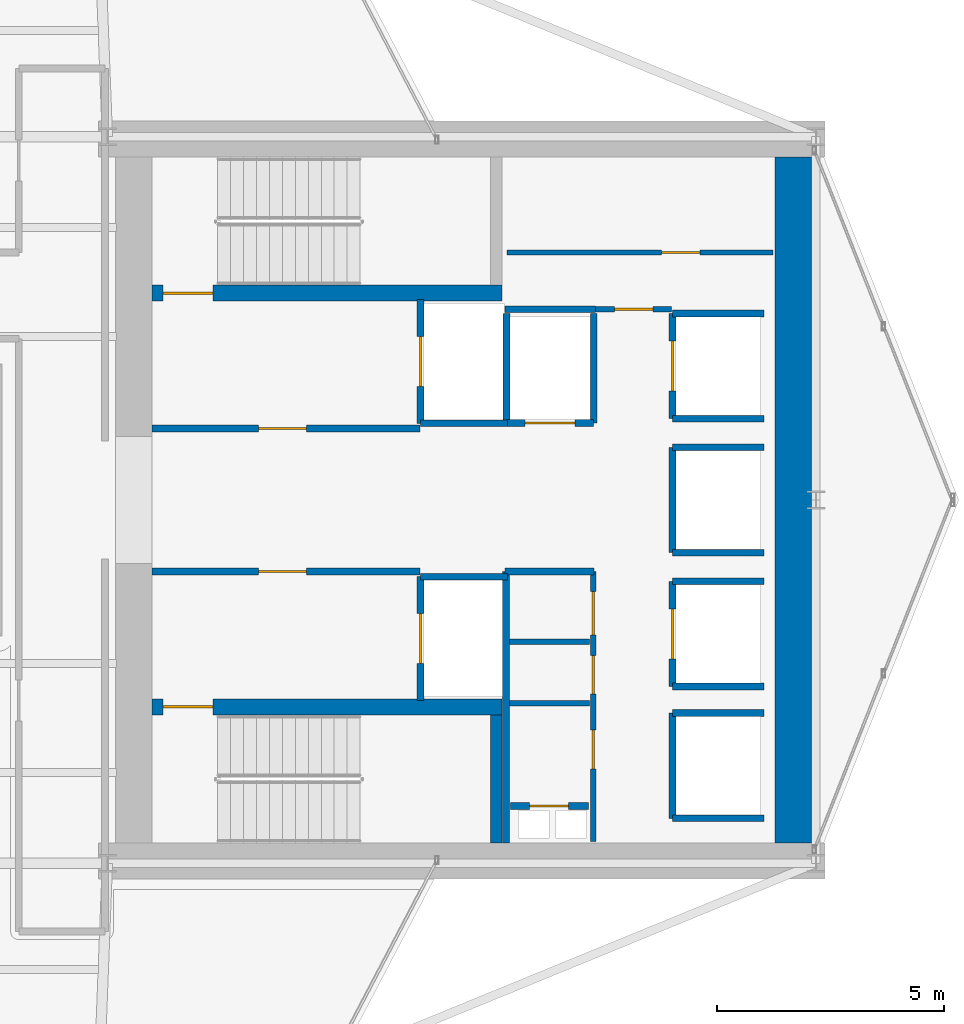
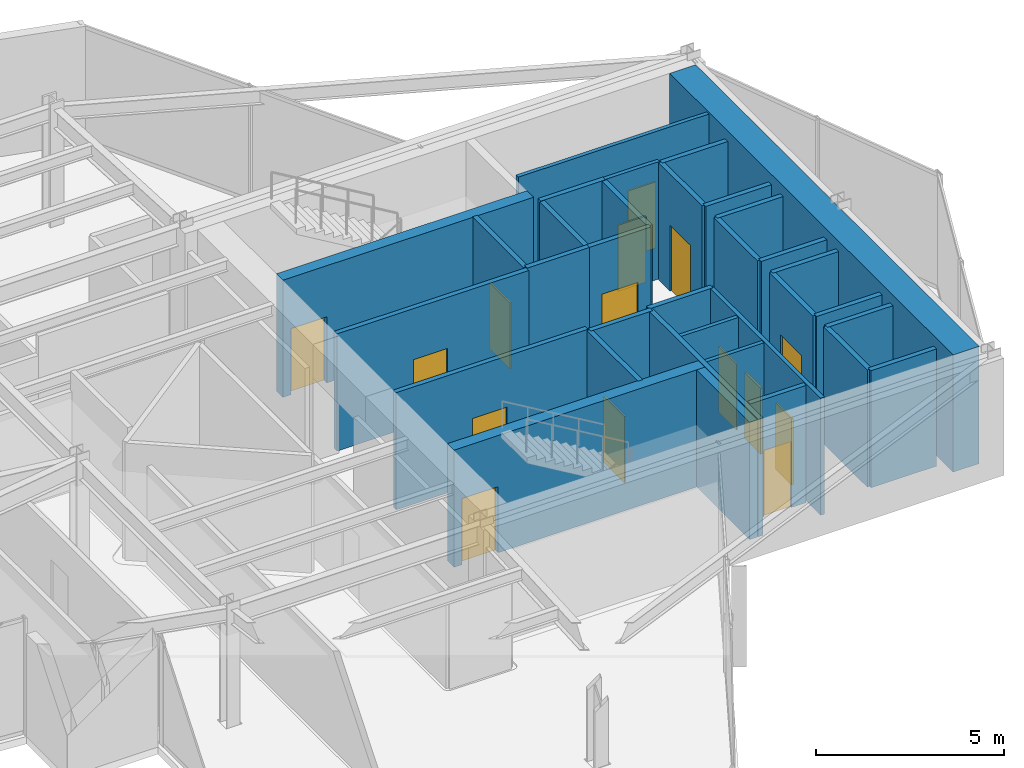
# One storey, part 22 of 25: 34 walls, 15 doors, 15 openings.
"""IFC4 building model written with IfcOpenShell, lengths in metres."""

from ifc_helpers import new_model, si_unit, direction, frame, frame_2d, origin, place, context, subcontext, project, spatial, rectangle, extrude, material, layer, layer_set, type_object, element, fill, save


model = new_model("IFC4")

# Units and contexts
model_context = context("Model", 3, precision=1e-05, world=origin(), true_north=direction((0.0, 1.0)))
body_context = subcontext(model_context, "Body", "Model", "MODEL_VIEW")
ifc_project = project(units=[si_unit("LENGTHUNIT", "METRE"), si_unit("AREAUNIT", "SQUARE_METRE"), si_unit("VOLUMEUNIT", "CUBIC_METRE"), si_unit("PLANEANGLEUNIT", "RADIAN"), si_unit("MASSUNIT", "GRAM", prefix="KILO")], contexts=[model_context])

# Site, building, storey
site_placement = place(None, origin())
site = spatial("IfcSite", under=ifc_project, at=site_placement, CompositionType="ELEMENT")
building_placement = place(site_placement, origin())
building = spatial("IfcBuilding", under=site, at=building_placement, Name="Veymaron Broadcast Tower", CompositionType="ELEMENT")
storey_placement = place(building_placement, frame((0.0, 0.0, 145.199951171875)))
storey = spatial("IfcBuildingStorey", under=building, at=storey_placement, Name="L33", CompositionType="ELEMENT", Elevation=145.199951171875)

# Wall, opening, door
ifc_material_1 = material(Name="Gypsum fireboard and steel stud framing", Category="steel")
ifc_layer_1 = layer(ifc_material_1, 0.14990234375)
ifc_layer_set_1 = layer_set([ifc_layer_1], Name="Gypsum fireboard and steel stud framing")
wall_type_1 = type_object("IfcWallType", Name="WALL-FIRE-150", PredefinedType="PARTITIONING", material=ifc_layer_set_1)
wall_1_placement = place(storey_placement, frame((39.97998046875, 25.574951171875, 0.0), z_axis=(0.0, 0.0, 1.0), x_axis=(1.0, 0.0, 0.0)))
wall_1 = element("IfcWall", 1, at=wall_1_placement, inside=storey, type_object=wall_type_1, Name="L33 partition IW-L33-FFLN-S", PredefinedType="PARTITIONING", context=body_context, shape_type="SweptSolid", body=[
    extrude(rectangle(XDim=5.89990234375, YDim=0.14990234375, at=frame_2d((2.949951171875, 0.0))), origin(), (0.0, 0.0, 1.0), 3.81005859375),
])
opening_1_placement = place(wall_1_placement, frame((2.35009765625, 0.0, 0.0)))
opening_1 = element("IfcOpeningElement", 2, at=opening_1_placement, cuts=wall_1, Name="Opening ID-FL1", PredefinedType="OPENING", context=body_context, shape_type="SweptSolid", body=[
    extrude(rectangle(XDim=1.050048828125, YDim=2.14990234375, at=frame_2d((0.52490234375, 1.074951171875))), frame((0.0, 0.0849609375, 0.0), z_axis=(0.0, -1.0, 0.0), x_axis=(1.0, 0.0, 0.0)), (0.0, 0.0, 1.0), 0.169921875),
])
ifc_material_2 = material(Name="Fire-rated painted hollow steel ASTM A653", Category="steel")
door_type_1 = type_object("IfcDoorType", Name="DOOR-FIRE-1050", OperationType="NOTDEFINED", PredefinedType="DOOR", material=ifc_material_2)
door_1_placement = place(opening_1_placement, origin())
door_1 = element("IfcDoor", 3, at=door_1_placement, inside=storey, type_object=door_type_1, Name="L33 door DR-L33-FFLN", OperationType="SINGLE_SWING_LEFT", OverallHeight=2.14990234375, OverallWidth=1.050048828125, PredefinedType="DOOR", context=body_context, shape_type="SweptSolid", body=[
    extrude(rectangle(XDim=1.050048828125, YDim=2.14990234375, at=frame_2d((0.52490234375, 1.074951171875))), frame((0.0, 0.02490234375, 0.0), z_axis=(0.0, -1.0, 0.0), x_axis=(1.0, 0.0, 0.0)), (0.0, 0.0, 1.0), 0.050048828125),
])
fill(opening_1, door_1)

wall_2_placement = place(storey_placement, frame((39.97998046875, 22.425048828125, 0.0), z_axis=(0.0, 0.0, 1.0), x_axis=(1.0, 0.0, 0.0)))
wall_2 = element("IfcWall", 4, at=wall_2_placement, inside=storey, type_object=wall_type_1, Name="L33 partition IW-L33-FFLS-N", PredefinedType="PARTITIONING", context=body_context, shape_type="SweptSolid", body=[
    extrude(rectangle(XDim=5.89990234375, YDim=0.14990234375, at=frame_2d((2.949951171875, 0.0))), origin(), (0.0, 0.0, 1.0), 3.81005859375),
])
opening_2_placement = place(wall_2_placement, frame((2.35009765625, 0.0, 0.0)))
opening_2 = element("IfcOpeningElement", 5, at=opening_2_placement, cuts=wall_2, Name="Opening ID-FL1", PredefinedType="OPENING", context=body_context, shape_type="SweptSolid", body=[
    extrude(rectangle(XDim=1.050048828125, YDim=2.14990234375, at=frame_2d((0.52490234375, 1.074951171875))), frame((0.0, 0.0849609375, 0.0), z_axis=(0.0, -1.0, 0.0), x_axis=(1.0, 0.0, 0.0)), (0.0, 0.0, 1.0), 0.169921875),
])
door_2_placement = place(opening_2_placement, frame((1.050048828125, 0.0, 0.0), z_axis=(0.0, 0.0, 1.0), x_axis=(-1.0, 0.0, 0.0)))
door_2 = element("IfcDoor", 6, at=door_2_placement, inside=storey, type_object=door_type_1, Name="L33 door DR-L33-FFLS", OperationType="SINGLE_SWING_RIGHT", OverallHeight=2.14990234375, OverallWidth=1.050048828125, PredefinedType="DOOR", context=body_context, shape_type="SweptSolid", body=[
    extrude(rectangle(XDim=1.050048828125, YDim=2.14990234375, at=frame_2d((0.52490234375, 1.074951171875))), frame((0.0, 0.02490234375, 0.0), z_axis=(0.0, -1.0, 0.0), x_axis=(1.0, 0.0, 0.0)), (0.0, 0.0, 1.0), 0.050048828125),
])
fill(opening_2, door_2)

wall_3_placement = place(storey_placement, frame((45.89501953125, 25.68994140625, 0.0), z_axis=(0.0, 0.0, 1.0), x_axis=(0.0, 1.0, 0.0)))
wall_3 = element("IfcWall", 7, at=wall_3_placement, inside=storey, type_object=wall_type_1, Name="L33 partition IW-L33-SHW-FFL-1", PredefinedType="PARTITIONING", context=body_context, shape_type="SweptSolid", body=[
    extrude(rectangle(XDim=2.719970703125, YDim=0.14990234375, at=frame_2d((1.35986328125, 0.0))), origin(), (0.0, 0.0, 1.0), 3.81005859375),
])
opening_3_placement = place(wall_3_placement, frame((0.81005859375, 0.0, 0.0)))
opening_3 = element("IfcOpeningElement", 8, at=opening_3_placement, cuts=wall_3, Name="Opening LD", PredefinedType="OPENING", context=body_context, shape_type="SweptSolid", body=[
    extrude(rectangle(XDim=1.10009765625, YDim=2.14990234375, at=frame_2d((0.550048828125, 1.074951171875))), frame((0.0, 0.0849609375, 0.0), z_axis=(0.0, -1.0, 0.0), x_axis=(1.0, 0.0, 0.0)), (0.0, 0.0, 1.0), 0.169921875),
])
ifc_material_3 = material(Name="Brushed stainless steel AISI 304", Category="steel")
door_type_2 = type_object("IfcDoorType", Name="DOOR-LIFT-1100", OperationType="DOUBLE_DOOR_SLIDING", PredefinedType="DOOR", material=ifc_material_3)
door_3_placement = place(opening_3_placement, frame((1.10009765625, 0.0, 0.0), z_axis=(0.0, 0.0, 1.0), x_axis=(-1.0, 0.0, 0.0)))
door_3 = element("IfcDoor", 9, at=door_3_placement, inside=storey, type_object=door_type_2, Name="L33 door LD-L33-FFL-1", OperationType="DOUBLE_DOOR_SLIDING", OverallHeight=2.14990234375, OverallWidth=1.10009765625, PredefinedType="DOOR", context=body_context, shape_type="SweptSolid", body=[
    extrude(rectangle(XDim=1.10009765625, YDim=2.14990234375, at=frame_2d((0.550048828125, 1.074951171875))), frame((0.0, 0.02490234375, 0.0), z_axis=(0.0, -1.0, 0.0), x_axis=(1.0, 0.0, 0.0)), (0.0, 0.0, 1.0), 0.050048828125),
])
fill(opening_3, door_3)

# Wall
wall_4_placement = place(storey_placement, frame((45.89501953125, 25.68994140625, 0.0), z_axis=(0.0, 0.0, 1.0), x_axis=(1.0, 0.0, 0.0)))
element("IfcWall", 10, at=wall_4_placement, inside=storey, type_object=wall_type_1, Name="L33 partition IW-L33-SHS-FFL-1", PredefinedType="PARTITIONING", context=body_context, shape_type="SweptSolid", body=[
    extrude(rectangle(XDim=1.9150390625, YDim=0.14990234375, at=frame_2d((0.95751953125, 0.0))), origin(), (0.0, 0.0, 1.0), 3.81005859375),
])

# Wall, opening, door
wall_5_placement = place(storey_placement, frame((45.89501953125, 19.590087890625, 0.0), z_axis=(0.0, 0.0, 1.0), x_axis=(0.0, 1.0, 0.0)))
wall_5 = element("IfcWall", 11, at=wall_5_placement, inside=storey, type_object=wall_type_1, Name="L33 partition IW-L33-SHW-FFL-2", PredefinedType="PARTITIONING", context=body_context, shape_type="SweptSolid", body=[
    extrude(rectangle(XDim=2.719970703125, YDim=0.14990234375, at=frame_2d((1.35986328125, 0.0))), origin(), (0.0, 0.0, 1.0), 3.81005859375),
])
opening_4_placement = place(wall_5_placement, frame((0.81005859375, 0.0, 0.0)))
opening_4 = element("IfcOpeningElement", 12, at=opening_4_placement, cuts=wall_5, Name="Opening LD", PredefinedType="OPENING", context=body_context, shape_type="SweptSolid", body=[
    extrude(rectangle(XDim=1.10009765625, YDim=2.14990234375, at=frame_2d((0.550048828125, 1.074951171875))), frame((0.0, 0.0849609375, 0.0), z_axis=(0.0, -1.0, 0.0), x_axis=(1.0, 0.0, 0.0)), (0.0, 0.0, 1.0), 0.169921875),
])
door_4_placement = place(opening_4_placement, frame((1.10009765625, 0.0, 0.0), z_axis=(0.0, 0.0, 1.0), x_axis=(-1.0, 0.0, 0.0)))
door_4 = element("IfcDoor", 13, at=door_4_placement, inside=storey, type_object=door_type_2, Name="L33 door LD-L33-FFL-2", OperationType="DOUBLE_DOOR_SLIDING", OverallHeight=2.14990234375, OverallWidth=1.10009765625, PredefinedType="DOOR", context=body_context, shape_type="SweptSolid", body=[
    extrude(rectangle(XDim=1.10009765625, YDim=2.14990234375, at=frame_2d((0.550048828125, 1.074951171875))), frame((0.0, 0.02490234375, 0.0), z_axis=(0.0, -1.0, 0.0), x_axis=(1.0, 0.0, 0.0)), (0.0, 0.0, 1.0), 0.050048828125),
])
fill(opening_4, door_4)

# Wall
wall_6_placement = place(storey_placement, frame((45.89501953125, 22.31005859375, 0.0), z_axis=(0.0, 0.0, 1.0), x_axis=(1.0, 0.0, 0.0)))
element("IfcWall", 14, at=wall_6_placement, inside=storey, type_object=wall_type_1, Name="L33 partition IW-L33-SHN-FFL-2", PredefinedType="PARTITIONING", context=body_context, shape_type="SweptSolid", body=[
    extrude(rectangle(XDim=1.9150390625, YDim=0.14990234375, at=frame_2d((0.95751953125, 0.0))), origin(), (0.0, 0.0, 1.0), 3.81005859375),
])

# Wall, opening, door
wall_7_placement = place(storey_placement, frame((47.7900390625, 25.695068359375, 0.0), z_axis=(0.0, 0.0, 1.0), x_axis=(1.0, 0.0, 0.0)))
wall_7 = element("IfcWall", 15, at=wall_7_placement, inside=storey, type_object=wall_type_1, Name="L33 partition IW-L33-SHS-SL-1", PredefinedType="PARTITIONING", context=body_context, shape_type="SweptSolid", body=[
    extrude(rectangle(XDim=1.919921875, YDim=0.14990234375, at=frame_2d((0.9599609375, 0.0))), origin(), (0.0, 0.0, 1.0), 3.81005859375),
])
opening_5_placement = place(wall_7_placement, frame((0.409912109375, 0.0, 0.0)))
opening_5 = element("IfcOpeningElement", 16, at=opening_5_placement, cuts=wall_7, Name="Opening LD", PredefinedType="OPENING", context=body_context, shape_type="SweptSolid", body=[
    extrude(rectangle(XDim=1.10009765625, YDim=2.14990234375, at=frame_2d((0.550048828125, 1.074951171875))), frame((0.0, 0.0849609375, 0.0), z_axis=(0.0, -1.0, 0.0), x_axis=(1.0, 0.0, 0.0)), (0.0, 0.0, 1.0), 0.169921875),
])
door_5_placement = place(opening_5_placement, frame((1.10009765625, 0.0, 0.0), z_axis=(0.0, 0.0, 1.0), x_axis=(-1.0, 0.0, 0.0)))
door_5 = element("IfcDoor", 17, at=door_5_placement, inside=storey, type_object=door_type_2, Name="L33 door LD-L33-SL-1", OperationType="DOUBLE_DOOR_SLIDING", OverallHeight=2.14990234375, OverallWidth=1.10009765625, PredefinedType="DOOR", context=body_context, shape_type="SweptSolid", body=[
    extrude(rectangle(XDim=1.10009765625, YDim=2.14990234375, at=frame_2d((0.550048828125, 1.074951171875))), frame((0.0, 0.02490234375, 0.0), z_axis=(0.0, -1.0, 0.0), x_axis=(1.0, 0.0, 0.0)), (0.0, 0.0, 1.0), 0.050048828125),
])
fill(opening_5, door_5)

# Walls
for number, where, z_axis, x_axis, name in (
    (18, (47.7900390625, 25.695068359375, 0.0), (0.0, 0.0, 1.0), (0.0, 1.0, 0.0), "L33 partition IW-L33-SHW-SL-1"),
    (19, (49.7099609375, 25.695068359375, 0.0), (0.0, 0.0, 1.0), (0.0, 1.0, 0.0), "L33 partition IW-L33-SHE-SL-1"),
):
    element("IfcWall", number, at=place(storey_placement, frame(where, z_axis=z_axis, x_axis=x_axis)), inside=storey, type_object=wall_type_1, Name=name, PredefinedType="PARTITIONING", context=body_context, shape_type="SweptSolid", body=[
        extrude(rectangle(XDim=2.4150390625, YDim=0.14990234375, at=frame_2d((1.20751953125, 0.0))), origin(), (0.0, 0.0, 1.0), 3.81005859375),
    ])

# Wall, opening, door
wall_8_placement = place(storey_placement, frame((51.445068359375, 25.7900390625, 0.0), z_axis=(0.0, 0.0, 1.0), x_axis=(0.0, 1.0, 0.0)))
wall_8 = element("IfcWall", 20, at=wall_8_placement, inside=storey, type_object=wall_type_1, Name="L33 partition IW-L33-SHW-PM1", PredefinedType="PARTITIONING", context=body_context, shape_type="SweptSolid", body=[
    extrude(rectangle(XDim=2.320068359375, YDim=0.14990234375, at=frame_2d((1.16015625, 0.0))), origin(), (0.0, 0.0, 1.0), 3.81005859375),
])
opening_6_placement = place(wall_8_placement, frame((0.610107421875, 0.0, 0.0)))
opening_6 = element("IfcOpeningElement", 21, at=opening_6_placement, cuts=wall_8, Name="Opening LD", PredefinedType="OPENING", context=body_context, shape_type="SweptSolid", body=[
    extrude(rectangle(XDim=1.10009765625, YDim=2.14990234375, at=frame_2d((0.550048828125, 1.074951171875))), frame((0.0, 0.0849609375, 0.0), z_axis=(0.0, -1.0, 0.0), x_axis=(1.0, 0.0, 0.0)), (0.0, 0.0, 1.0), 0.169921875),
])
door_6_placement = place(opening_6_placement, frame((1.10009765625, 0.0, 0.0), z_axis=(0.0, 0.0, 1.0), x_axis=(-1.0, 0.0, 0.0)))
door_6 = element("IfcDoor", 22, at=door_6_placement, inside=storey, type_object=door_type_2, Name="L33 door LD-L33-PM1", OperationType="DOUBLE_DOOR_SLIDING", OverallHeight=2.14990234375, OverallWidth=1.10009765625, PredefinedType="DOOR", context=body_context, shape_type="SweptSolid", body=[
    extrude(rectangle(XDim=1.10009765625, YDim=2.14990234375, at=frame_2d((0.550048828125, 1.074951171875))), frame((0.0, 0.02490234375, 0.0), z_axis=(0.0, -1.0, 0.0), x_axis=(1.0, 0.0, 0.0)), (0.0, 0.0, 1.0), 0.050048828125),
])
fill(opening_6, door_6)

# Walls
for number, where, z_axis, x_axis, name in (
    (23, (51.445068359375, 25.7900390625, 0.0), (0.0, 0.0, 1.0), (1.0, 0.0, 0.0), "L33 partition IW-L33-SHS-PM1"),
    (24, (51.445068359375, 28.110107421875, 0.0), (0.0, 0.0, 1.0), (1.0, 0.0, 0.0), "L33 partition IW-L33-SHN-PM1"),
):
    element("IfcWall", number, at=place(storey_placement, frame(where, z_axis=z_axis, x_axis=x_axis)), inside=storey, type_object=wall_type_1, Name=name, PredefinedType="PARTITIONING", context=body_context, shape_type="SweptSolid", body=[
        extrude(rectangle(XDim=2.014892578125, YDim=0.14990234375, at=frame_2d((1.00732421875, 0.0))), origin(), (0.0, 0.0, 1.0), 3.81005859375),
    ])

# Wall, opening, door
wall_9_placement = place(storey_placement, frame((51.445068359375, 19.889892578125, 0.0), z_axis=(0.0, 0.0, 1.0), x_axis=(0.0, 1.0, 0.0)))
wall_9 = element("IfcWall", 25, at=wall_9_placement, inside=storey, type_object=wall_type_1, Name="L33 partition IW-L33-SHW-PM2", PredefinedType="PARTITIONING", context=body_context, shape_type="SweptSolid", body=[
    extrude(rectangle(XDim=2.320068359375, YDim=0.14990234375, at=frame_2d((1.16015625, 0.0))), origin(), (0.0, 0.0, 1.0), 3.81005859375),
])
opening_7_placement = place(wall_9_placement, frame((0.610107421875, 0.0, 0.0)))
opening_7 = element("IfcOpeningElement", 26, at=opening_7_placement, cuts=wall_9, Name="Opening LD", PredefinedType="OPENING", context=body_context, shape_type="SweptSolid", body=[
    extrude(rectangle(XDim=1.10009765625, YDim=2.14990234375, at=frame_2d((0.550048828125, 1.074951171875))), frame((0.0, 0.0849609375, 0.0), z_axis=(0.0, -1.0, 0.0), x_axis=(1.0, 0.0, 0.0)), (0.0, 0.0, 1.0), 0.169921875),
])
door_7_placement = place(opening_7_placement, frame((1.10009765625, 0.0, 0.0), z_axis=(0.0, 0.0, 1.0), x_axis=(-1.0, 0.0, 0.0)))
door_7 = element("IfcDoor", 27, at=door_7_placement, inside=storey, type_object=door_type_2, Name="L33 door LD-L33-PM2", OperationType="DOUBLE_DOOR_SLIDING", OverallHeight=2.14990234375, OverallWidth=1.10009765625, PredefinedType="DOOR", context=body_context, shape_type="SweptSolid", body=[
    extrude(rectangle(XDim=1.10009765625, YDim=2.14990234375, at=frame_2d((0.550048828125, 1.074951171875))), frame((0.0, 0.02490234375, 0.0), z_axis=(0.0, -1.0, 0.0), x_axis=(1.0, 0.0, 0.0)), (0.0, 0.0, 1.0), 0.050048828125),
])
fill(opening_7, door_7)

# Walls
for number, where, z_axis, x_axis, name in (
    (28, (51.445068359375, 19.889892578125, 0.0), (0.0, 0.0, 1.0), (1.0, 0.0, 0.0), "L33 partition IW-L33-SHS-PM2"),
    (29, (51.445068359375, 22.2099609375, 0.0), (0.0, 0.0, 1.0), (1.0, 0.0, 0.0), "L33 partition IW-L33-SHN-PM2"),
):
    element("IfcWall", number, at=place(storey_placement, frame(where, z_axis=z_axis, x_axis=x_axis)), inside=storey, type_object=wall_type_1, Name=name, PredefinedType="PARTITIONING", context=body_context, shape_type="SweptSolid", body=[
        extrude(rectangle(XDim=2.014892578125, YDim=0.14990234375, at=frame_2d((1.00732421875, 0.0))), origin(), (0.0, 0.0, 1.0), 3.81005859375),
    ])
wall_10_placement = place(storey_placement, frame((51.445068359375, 22.840087890625, 0.0), z_axis=(0.0, 0.0, 1.0), x_axis=(0.0, 1.0, 0.0)))
element("IfcWall", 30, at=wall_10_placement, inside=storey, type_object=wall_type_1, Name="L33 partition IW-L33-SHW-PM3", PredefinedType="PARTITIONING", context=body_context, shape_type="SweptSolid", body=[
    extrude(rectangle(XDim=2.31982421875, YDim=0.14990234375, at=frame_2d((1.159912109375, 0.0))), origin(), (0.0, 0.0, 1.0), 3.81005859375),
])
for number, where, z_axis, x_axis, name in (
    (31, (51.445068359375, 22.840087890625, 0.0), (0.0, 0.0, 1.0), (1.0, 0.0, 0.0), "L33 partition IW-L33-SHS-PM3"),
    (32, (51.445068359375, 25.159912109375, 0.0), (0.0, 0.0, 1.0), (1.0, 0.0, 0.0), "L33 partition IW-L33-SHN-PM3"),
):
    element("IfcWall", number, at=place(storey_placement, frame(where, z_axis=z_axis, x_axis=x_axis)), inside=storey, type_object=wall_type_1, Name=name, PredefinedType="PARTITIONING", context=body_context, shape_type="SweptSolid", body=[
        extrude(rectangle(XDim=2.014892578125, YDim=0.14990234375, at=frame_2d((1.00732421875, 0.0))), origin(), (0.0, 0.0, 1.0), 3.81005859375),
    ])
wall_11_placement = place(storey_placement, frame((51.445068359375, 16.989990234375, 0.0), z_axis=(0.0, 0.0, 1.0), x_axis=(0.0, 1.0, 0.0)))
element("IfcWall", 33, at=wall_11_placement, inside=storey, type_object=wall_type_1, Name="L33 partition IW-L33-SHW-PH1", PredefinedType="PARTITIONING", context=body_context, shape_type="SweptSolid", body=[
    extrude(rectangle(XDim=2.320068359375, YDim=0.14990234375, at=frame_2d((1.16015625, 0.0))), origin(), (0.0, 0.0, 1.0), 3.81005859375),
])
for number, where, z_axis, x_axis, name in (
    (34, (51.445068359375, 16.989990234375, 0.0), (0.0, 0.0, 1.0), (1.0, 0.0, 0.0), "L33 partition IW-L33-SHS-PH1"),
    (35, (51.445068359375, 19.31005859375, 0.0), (0.0, 0.0, 1.0), (1.0, 0.0, 0.0), "L33 partition IW-L33-SHN-PH1"),
):
    element("IfcWall", number, at=place(storey_placement, frame(where, z_axis=z_axis, x_axis=x_axis)), inside=storey, type_object=wall_type_1, Name=name, PredefinedType="PARTITIONING", context=body_context, shape_type="SweptSolid", body=[
        extrude(rectangle(XDim=2.014892578125, YDim=0.14990234375, at=frame_2d((1.00732421875, 0.0))), origin(), (0.0, 0.0, 1.0), 3.81005859375),
    ])

# Wall, opening, door
wall_12_placement = place(storey_placement, frame((47.8798828125, 17.260009765625, 0.0), z_axis=(0.0, 0.0, 1.0), x_axis=(1.0, 0.0, 0.0)))
wall_12 = element("IfcWall", 36, at=wall_12_placement, inside=storey, type_object=wall_type_1, Name="L33 partition IW-L33-RIS-N", PredefinedType="PARTITIONING", context=body_context, shape_type="SweptSolid", body=[
    extrude(rectangle(XDim=1.72021484375, YDim=0.14990234375, at=frame_2d((0.860107421875, 0.0))), origin(), (0.0, 0.0, 1.0), 3.81005859375),
])
opening_8_placement = place(wall_12_placement, frame((0.419921875, 0.0, 0.0)))
opening_8 = element("IfcOpeningElement", 37, at=opening_8_placement, cuts=wall_12, Name="Opening ID-RS1", PredefinedType="OPENING", context=body_context, shape_type="SweptSolid", body=[
    extrude(rectangle(XDim=0.85009765625, YDim=2.14990234375, at=frame_2d((0.425048828125, 1.074951171875))), frame((0.0, 0.0849609375, 0.0), z_axis=(0.0, -1.0, 0.0), x_axis=(1.0, 0.0, 0.0)), (0.0, 0.0, 1.0), 0.169921875),
])
ifc_material_4 = material(Name="Fire-rated powder-coated steel riser leaf", Category="steel")
door_type_3 = type_object("IfcDoorType", Name="DOOR-RIS-850", OperationType="NOTDEFINED", PredefinedType="TRAPDOOR", material=ifc_material_4)
door_8_placement = place(opening_8_placement, origin())
door_8 = element("IfcDoor", 38, at=door_8_placement, inside=storey, type_object=door_type_3, Name="L33 door DR-L33-RIS", OperationType="SINGLE_SWING_LEFT", OverallHeight=2.14990234375, OverallWidth=0.85009765625, PredefinedType="TRAPDOOR", context=body_context, shape_type="SweptSolid", body=[
    extrude(rectangle(XDim=0.85009765625, YDim=2.14990234375, at=frame_2d((0.425048828125, 1.074951171875))), frame((0.0, 0.02490234375, 0.0), z_axis=(0.0, -1.0, 0.0), x_axis=(1.0, 0.0, 0.0)), (0.0, 0.0, 1.0), 0.050048828125),
])
fill(opening_8, door_8)

# Walls
wall_13_placement = place(storey_placement, frame((47.760009765625, 22.425048828125, 0.0), z_axis=(0.0, 0.0, 1.0), x_axis=(1.0, 0.0, 0.0)))
element("IfcWall", 39, at=wall_13_placement, inside=storey, type_object=wall_type_1, Name="L33 partition IW-L33-SM-N", PredefinedType="PARTITIONING", context=body_context, shape_type="SweptSolid", body=[
    extrude(rectangle(XDim=1.9599609375, YDim=0.14990234375, at=frame_2d((0.97998046875, 0.0))), origin(), (0.0, 0.0, 1.0), 3.81005859375),
])
wall_14_placement = place(storey_placement, frame((47.780029296875, 16.449951171875, 0.0), z_axis=(0.0, 0.0, 1.0), x_axis=(0.0, 1.0, 0.0)))
element("IfcWall", 40, at=wall_14_placement, inside=storey, type_object=wall_type_1, Name="L33 partition IW-L33-SM-W", PredefinedType="PARTITIONING", context=body_context, shape_type="SweptSolid", body=[
    extrude(rectangle(XDim=5.97509765625, YDim=0.14990234375, at=frame_2d((2.987548828125, 0.0))), origin(), (0.0, 0.0, 1.0), 3.81005859375),
])
wall_15_placement = place(storey_placement, frame((47.760009765625, 28.199951171875, 0.0), z_axis=(0.0, 0.0, 1.0), x_axis=(1.0, 0.0, 0.0)))
element("IfcWall", 41, at=wall_15_placement, inside=storey, type_object=wall_type_1, Name="L33 partition IW-L33-F1-SW", PredefinedType="PARTITIONING", context=body_context, shape_type="SweptSolid", body=[
    extrude(rectangle(XDim=1.989990234375, YDim=0.14990234375, at=frame_2d((0.9951171875, 0.0))), origin(), (0.0, 0.0, 1.0), 3.81005859375),
])
ifc_material_5 = material(Name="Acoustic gypsum board and galvanized stud", Category="gypsum")
ifc_layer_2 = layer(ifc_material_5, 0.1201171875)
ifc_layer_set_2 = layer_set([ifc_layer_2], Name="Acoustic gypsum board and galvanized stud")
wall_type_2 = type_object("IfcWallType", Name="WALL-PART-120", PredefinedType="PARTITIONING", material=ifc_layer_set_2)
for number, where, z_axis, x_axis, name in (
    (42, (47.860107421875, 19.52001953125, 0.0), (0.0, 0.0, 1.0), (1.0, 0.0, 0.0), "L33 partition IW-L33-SM-D1"),
    (43, (47.860107421875, 20.8798828125, 0.0), (0.0, 0.0, 1.0), (1.0, 0.0, 0.0), "L33 partition IW-L33-SM-D2"),
):
    element("IfcWall", number, at=place(storey_placement, frame(where, z_axis=z_axis, x_axis=x_axis)), inside=storey, type_object=wall_type_2, Name=name, PredefinedType="PARTITIONING", context=body_context, shape_type="SweptSolid", body=[
        extrude(rectangle(XDim=1.760009765625, YDim=0.1201171875, at=frame_2d((0.8798828125, 0.0))), origin(), (0.0, 0.0, 1.0), 3.81005859375),
    ])

# Wall, openings, doors
wall_16_placement = place(storey_placement, frame((49.699951171875, 16.47998046875, 0.0), z_axis=(0.0, 0.0, 1.0), x_axis=(0.0, 1.0, 0.0)))
wall_16 = element("IfcWall", 44, at=wall_16_placement, inside=storey, type_object=wall_type_2, Name="L33 partition IW-L33-SM-E", PredefinedType="PARTITIONING", context=body_context, shape_type="SweptSolid", body=[
    extrude(rectangle(XDim=5.945068359375, YDim=0.1201171875, at=frame_2d((2.97265625, 0.0))), origin(), (0.0, 0.0, 1.0), 3.81005859375),
])
opening_9_placement = place(wall_16_placement, frame((1.60009765625, 0.0, 0.0)))
opening_9 = element("IfcOpeningElement", 45, at=opening_9_placement, cuts=wall_16, Name="Opening ID-WC1", PredefinedType="OPENING", context=body_context, shape_type="SweptSolid", body=[
    extrude(rectangle(XDim=0.85009765625, YDim=2.14990234375, at=frame_2d((0.425048828125, 1.074951171875))), frame((0.0, 0.070068359375, 0.0), z_axis=(0.0, -1.0, 0.0), x_axis=(1.0, 0.0, 0.0)), (0.0, 0.0, 1.0), 0.14013671875),
])
opening_10_placement = place(wall_16_placement, frame((3.25, 0.0, 0.0)))
opening_10 = element("IfcOpeningElement", 46, at=opening_10_placement, cuts=wall_16, Name="Opening ID-WC1", PredefinedType="OPENING", context=body_context, shape_type="SweptSolid", body=[
    extrude(rectangle(XDim=0.85009765625, YDim=2.14990234375, at=frame_2d((0.425048828125, 1.074951171875))), frame((0.0, 0.070068359375, 0.0), z_axis=(0.0, -1.0, 0.0), x_axis=(1.0, 0.0, 0.0)), (0.0, 0.0, 1.0), 0.14013671875),
])
opening_11_placement = place(wall_16_placement, frame((4.550048828125, 0.0, 0.0)))
opening_11 = element("IfcOpeningElement", 47, at=opening_11_placement, cuts=wall_16, Name="Opening ID-RM1", PredefinedType="OPENING", context=body_context, shape_type="SweptSolid", body=[
    extrude(rectangle(XDim=0.949951171875, YDim=2.14990234375, at=frame_2d((0.47509765625, 1.074951171875))), frame((0.0, 0.070068359375, 0.0), z_axis=(0.0, -1.0, 0.0), x_axis=(1.0, 0.0, 0.0)), (0.0, 0.0, 1.0), 0.14013671875),
])
ifc_material_6 = material(Name="Moisture-resistant high-pressure laminate timber", Category="wood")
door_type_4 = type_object("IfcDoorType", Name="DOOR-INT-850", OperationType="NOTDEFINED", PredefinedType="DOOR", material=ifc_material_6)
door_9_placement = place(opening_9_placement, frame((0.85009765625, 0.0, 0.0), z_axis=(0.0, 0.0, 1.0), x_axis=(-1.0, 0.0, 0.0)))
door_9 = element("IfcDoor", 48, at=door_9_placement, inside=storey, type_object=door_type_4, Name="L33 door DR-L33-JST", OperationType="SINGLE_SWING_LEFT", OverallHeight=2.14990234375, OverallWidth=0.85009765625, PredefinedType="DOOR", context=body_context, shape_type="SweptSolid", body=[
    extrude(rectangle(XDim=0.85009765625, YDim=2.14990234375, at=frame_2d((0.425048828125, 1.074951171875))), frame((0.0, 0.02490234375, 0.0), z_axis=(0.0, -1.0, 0.0), x_axis=(1.0, 0.0, 0.0)), (0.0, 0.0, 1.0), 0.050048828125),
])
fill(opening_9, door_9)
door_10_placement = place(opening_10_placement, frame((0.85009765625, 0.0, 0.0), z_axis=(0.0, 0.0, 1.0), x_axis=(-1.0, 0.0, 0.0)))
door_10 = element("IfcDoor", 49, at=door_10_placement, inside=storey, type_object=door_type_4, Name="L33 door DR-L33-SWC", OperationType="SINGLE_SWING_RIGHT", OverallHeight=2.14990234375, OverallWidth=0.85009765625, PredefinedType="DOOR", context=body_context, shape_type="SweptSolid", body=[
    extrude(rectangle(XDim=0.85009765625, YDim=2.14990234375, at=frame_2d((0.425048828125, 1.074951171875))), frame((0.0, 0.02490234375, 0.0), z_axis=(0.0, -1.0, 0.0), x_axis=(1.0, 0.0, 0.0)), (0.0, 0.0, 1.0), 0.050048828125),
])
fill(opening_10, door_10)
ifc_material_7 = material(Name="Acoustic solid-core European oak veneer timber", Category="wood")
door_type_5 = type_object("IfcDoorType", Name="DOOR-INT-950", OperationType="NOTDEFINED", PredefinedType="DOOR", material=ifc_material_7)
door_11_placement = place(opening_11_placement, frame((0.949951171875, 0.0, 0.0), z_axis=(0.0, 0.0, 1.0), x_axis=(-1.0, 0.0, 0.0)))
door_11 = element("IfcDoor", 50, at=door_11_placement, inside=storey, type_object=door_type_5, Name="L33 door DR-L33-AWC", OperationType="SINGLE_SWING_LEFT", OverallHeight=2.14990234375, OverallWidth=0.949951171875, PredefinedType="DOOR", context=body_context, shape_type="SweptSolid", body=[
    extrude(rectangle(XDim=0.949951171875, YDim=2.14990234375, at=frame_2d((0.47509765625, 1.074951171875))), frame((0.0, 0.02490234375, 0.0), z_axis=(0.0, -1.0, 0.0), x_axis=(1.0, 0.0, 0.0)), (0.0, 0.0, 1.0), 0.050048828125),
])
fill(opening_11, door_11)

# Wall, opening, door
wall_17_placement = place(storey_placement, frame((49.75, 28.199951171875, 0.0), z_axis=(0.0, 0.0, 1.0), x_axis=(1.0, 0.0, 0.0)))
wall_17 = element("IfcWall", 51, at=wall_17_placement, inside=storey, type_object=wall_type_2, Name="L33 partition IW-L33-F1-S", PredefinedType="PARTITIONING", context=body_context, shape_type="SweptSolid", body=[
    extrude(rectangle(XDim=1.669921875, YDim=0.1201171875, at=frame_2d((0.8349609375, 0.0))), origin(), (0.0, 0.0, 1.0), 3.81005859375),
])
opening_12_placement = place(wall_17_placement, frame((0.419921875, 0.0, 0.0)))
opening_12 = element("IfcOpeningElement", 52, at=opening_12_placement, cuts=wall_17, Name="Opening ID-WC1", PredefinedType="OPENING", context=body_context, shape_type="SweptSolid", body=[
    extrude(rectangle(XDim=0.85009765625, YDim=2.14990234375, at=frame_2d((0.425048828125, 1.074951171875))), frame((0.0, 0.070068359375, 0.0), z_axis=(0.0, -1.0, 0.0), x_axis=(1.0, 0.0, 0.0)), (0.0, 0.0, 1.0), 0.14013671875),
])
door_12_placement = place(opening_12_placement, origin())
door_12 = element("IfcDoor", 53, at=door_12_placement, inside=storey, type_object=door_type_4, Name="L33 door DR-L33-F1A", OperationType="SINGLE_SWING_LEFT", OverallHeight=2.14990234375, OverallWidth=0.85009765625, PredefinedType="DOOR", context=body_context, shape_type="SweptSolid", body=[
    extrude(rectangle(XDim=0.85009765625, YDim=2.14990234375, at=frame_2d((0.425048828125, 1.074951171875))), frame((0.0, 0.02490234375, 0.0), z_axis=(0.0, -1.0, 0.0), x_axis=(1.0, 0.0, 0.0)), (0.0, 0.0, 1.0), 0.050048828125),
])
fill(opening_12, door_12)

wall_18_placement = place(storey_placement, frame((47.800048828125, 29.449951171875, 0.0), z_axis=(0.0, 0.0, 1.0), x_axis=(1.0, 0.0, 0.0)))
wall_18 = element("IfcWall", 54, at=wall_18_placement, inside=storey, type_object=wall_type_2, Name="L33 partition IW-L33-F1-MY", PredefinedType="PARTITIONING", context=body_context, shape_type="SweptSolid", body=[
    extrude(rectangle(XDim=5.85986328125, YDim=0.1201171875, at=frame_2d((2.929931640625, 0.0))), origin(), (0.0, 0.0, 1.0), 3.81005859375),
])
opening_13_placement = place(wall_18_placement, frame((3.39990234375, 0.0, 0.0)))
opening_13 = element("IfcOpeningElement", 55, at=opening_13_placement, cuts=wall_18, Name="Opening ID-WC1", PredefinedType="OPENING", context=body_context, shape_type="SweptSolid", body=[
    extrude(rectangle(XDim=0.85009765625, YDim=2.14990234375, at=frame_2d((0.425048828125, 1.074951171875))), frame((0.0, 0.070068359375, 0.0), z_axis=(0.0, -1.0, 0.0), x_axis=(1.0, 0.0, 0.0)), (0.0, 0.0, 1.0), 0.14013671875),
])
door_13_placement = place(opening_13_placement, origin())
door_13 = element("IfcDoor", 56, at=door_13_placement, inside=storey, type_object=door_type_4, Name="L33 door DR-L33-F1B", OperationType="SINGLE_SWING_LEFT", OverallHeight=2.14990234375, OverallWidth=0.85009765625, PredefinedType="DOOR", context=body_context, shape_type="SweptSolid", body=[
    extrude(rectangle(XDim=0.85009765625, YDim=2.14990234375, at=frame_2d((0.425048828125, 1.074951171875))), frame((0.0, 0.02490234375, 0.0), z_axis=(0.0, -1.0, 0.0), x_axis=(1.0, 0.0, 0.0)), (0.0, 0.0, 1.0), 0.050048828125),
])
fill(opening_13, door_13)

# Wall
ifc_material_8 = material(Name="Concrete C50/60", Category="concrete")
ifc_layer_3 = layer(ifc_material_8, 0.25)
ifc_layer_set_3 = layer_set([ifc_layer_3], Name="Concrete C50/60")
wall_type_3 = type_object("IfcWallType", Name="WALL-SHEAR-250", PredefinedType="SHEAR", material=ifc_layer_set_3)
wall_19_placement = place(storey_placement, frame((47.56494140625, 16.449951171875, 0.0), z_axis=(0.0, 0.0, 1.0), x_axis=(0.0, 1.0, 0.0)))
element("IfcWall", 57, at=wall_19_placement, inside=storey, type_object=wall_type_3, Name="L33 Core Wall south stair east shear", PredefinedType="SHEAR", context=body_context, shape_type="SweptSolid", body=[
    extrude(rectangle(XDim=2.820068359375, YDim=0.25, at=frame_2d((1.41015625, 0.0))), origin(), (0.0, 0.0, 1.0), 3.81005859375),
])

# Wall, opening, door
ifc_layer_4 = layer(ifc_material_8, 0.35009765625)
ifc_layer_set_4 = layer_set([ifc_layer_4], Name="Concrete C50/60")
wall_type_4 = type_object("IfcWallType", Name="WALL-SHEAR-350", PredefinedType="SHEAR", material=ifc_layer_set_4)
wall_20_placement = place(storey_placement, frame((39.97998046875, 28.554931640625, 0.0), z_axis=(0.0, 0.0, 1.0), x_axis=(1.0, 0.0, 0.0)))
wall_20 = element("IfcWall", 58, at=wall_20_placement, inside=storey, type_object=wall_type_4, Name="L33 Core Wall north stair spine", PredefinedType="SHEAR", context=body_context, shape_type="SweptSolid", body=[
    extrude(rectangle(XDim=7.7099609375, YDim=0.35009765625, at=frame_2d((3.85498046875, 0.0))), origin(), (0.0, 0.0, 1.0), 3.81005859375),
])
opening_14_placement = place(wall_20_placement, frame((0.25, 0.0, 0.0)))
opening_14 = element("IfcOpeningElement", 59, at=opening_14_placement, cuts=wall_20, Name="Opening ID-ST1", PredefinedType="OPENING", context=body_context, shape_type="SweptSolid", body=[
    extrude(rectangle(XDim=1.10009765625, YDim=2.14990234375, at=frame_2d((0.550048828125, 1.074951171875))), frame((0.0, 0.18505859375, 0.0), z_axis=(0.0, -1.0, 0.0), x_axis=(1.0, 0.0, 0.0)), (0.0, 0.0, 1.0), 0.3701171875),
])
door_type_6 = type_object("IfcDoorType", Name="DOOR-STAIR-1100", OperationType="NOTDEFINED", PredefinedType="DOOR", material=ifc_material_2)
door_14_placement = place(opening_14_placement, origin())
door_14 = element("IfcDoor", 60, at=door_14_placement, inside=storey, type_object=door_type_6, Name="L33 exit stair ST1 fire door", OperationType="SINGLE_SWING_RIGHT", OverallHeight=2.14990234375, OverallWidth=1.10009765625, PredefinedType="DOOR", context=body_context, shape_type="SweptSolid", body=[
    extrude(rectangle(XDim=1.10009765625, YDim=2.14990234375, at=frame_2d((0.550048828125, 1.074951171875))), frame((0.0, 0.02490234375, 0.0), z_axis=(0.0, -1.0, 0.0), x_axis=(1.0, 0.0, 0.0)), (0.0, 0.0, 1.0), 0.050048828125),
])
fill(opening_14, door_14)

wall_21_placement = place(storey_placement, frame((39.97998046875, 19.445068359375, 0.0), z_axis=(0.0, 0.0, 1.0), x_axis=(1.0, 0.0, 0.0)))
wall_21 = element("IfcWall", 61, at=wall_21_placement, inside=storey, type_object=wall_type_4, Name="L33 Core Wall south stair spine", PredefinedType="SHEAR", context=body_context, shape_type="SweptSolid", body=[
    extrude(rectangle(XDim=7.7099609375, YDim=0.35009765625, at=frame_2d((3.85498046875, 0.0))), origin(), (0.0, 0.0, 1.0), 3.81005859375),
])
opening_15_placement = place(wall_21_placement, frame((0.25, 0.0, 0.0)))
opening_15 = element("IfcOpeningElement", 62, at=opening_15_placement, cuts=wall_21, Name="Opening ID-ST1", PredefinedType="OPENING", context=body_context, shape_type="SweptSolid", body=[
    extrude(rectangle(XDim=1.10009765625, YDim=2.14990234375, at=frame_2d((0.550048828125, 1.074951171875))), frame((0.0, 0.18505859375, 0.0), z_axis=(0.0, -1.0, 0.0), x_axis=(1.0, 0.0, 0.0)), (0.0, 0.0, 1.0), 0.3701171875),
])
door_15_placement = place(opening_15_placement, frame((1.10009765625, 0.0, 0.0), z_axis=(0.0, 0.0, 1.0), x_axis=(-1.0, 0.0, 0.0)))
door_15 = element("IfcDoor", 63, at=door_15_placement, inside=storey, type_object=door_type_6, Name="L33 exit stair ST2 fire door", OperationType="SINGLE_SWING_LEFT", OverallHeight=2.14990234375, OverallWidth=1.10009765625, PredefinedType="DOOR", context=body_context, shape_type="SweptSolid", body=[
    extrude(rectangle(XDim=1.10009765625, YDim=2.14990234375, at=frame_2d((0.550048828125, 1.074951171875))), frame((0.0, 0.02490234375, 0.0), z_axis=(0.0, -1.0, 0.0), x_axis=(1.0, 0.0, 0.0)), (0.0, 0.0, 1.0), 0.050048828125),
])
fill(opening_15, door_15)

# Wall
ifc_material_9 = material(Name="Concrete C60/75", Category="concrete")
ifc_layer_5 = layer(ifc_material_9, 0.800048828125)
ifc_layer_set_5 = layer_set([ifc_layer_5], Name="Concrete C60/75")
wall_type_5 = type_object("IfcWallType", Name="WALL-SHEAR-800", PredefinedType="SHEAR", material=ifc_layer_set_5)
wall_22_placement = place(storey_placement, frame((54.10009765625, 16.449951171875, 0.0), z_axis=(0.0, 0.0, 1.0), x_axis=(0.0, 1.0, 0.0)))
element("IfcWall", 64, at=wall_22_placement, inside=storey, type_object=wall_type_5, Name="L33 Core Wall east shear", PredefinedType="SHEAR", context=body_context, shape_type="SweptSolid", body=[
    extrude(rectangle(XDim=15.10009765625, YDim=0.800048828125, at=frame_2d((7.550048828125, 0.0))), origin(), (0.0, 0.0, 1.0), 3.81005859375),
])

save(model, "model.ifc")
